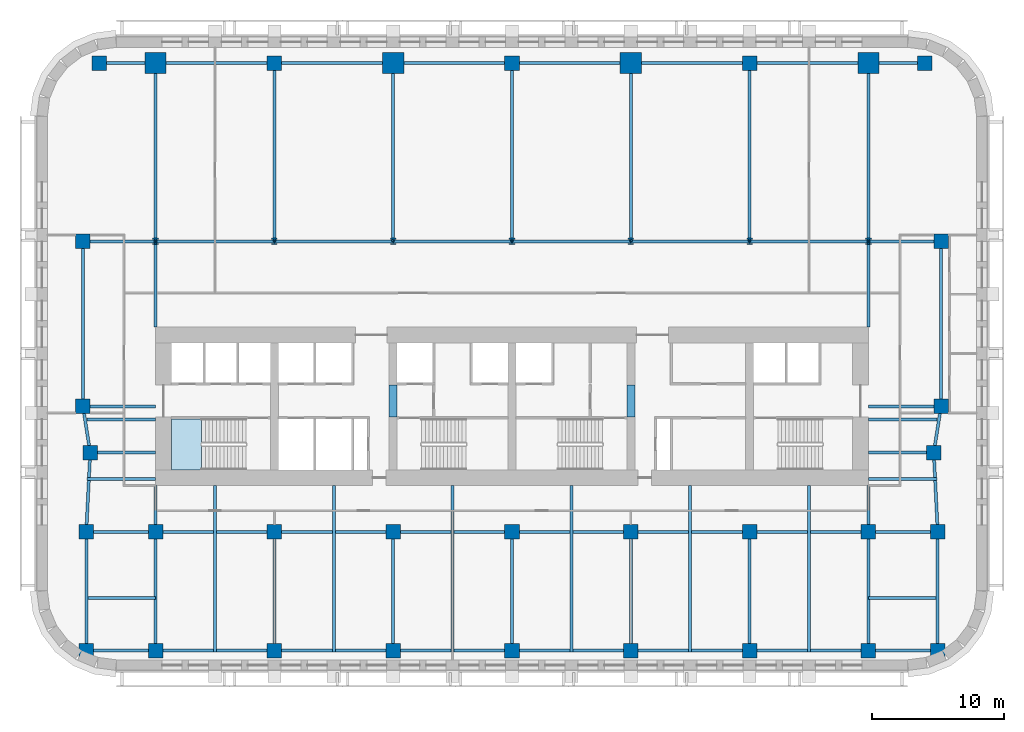
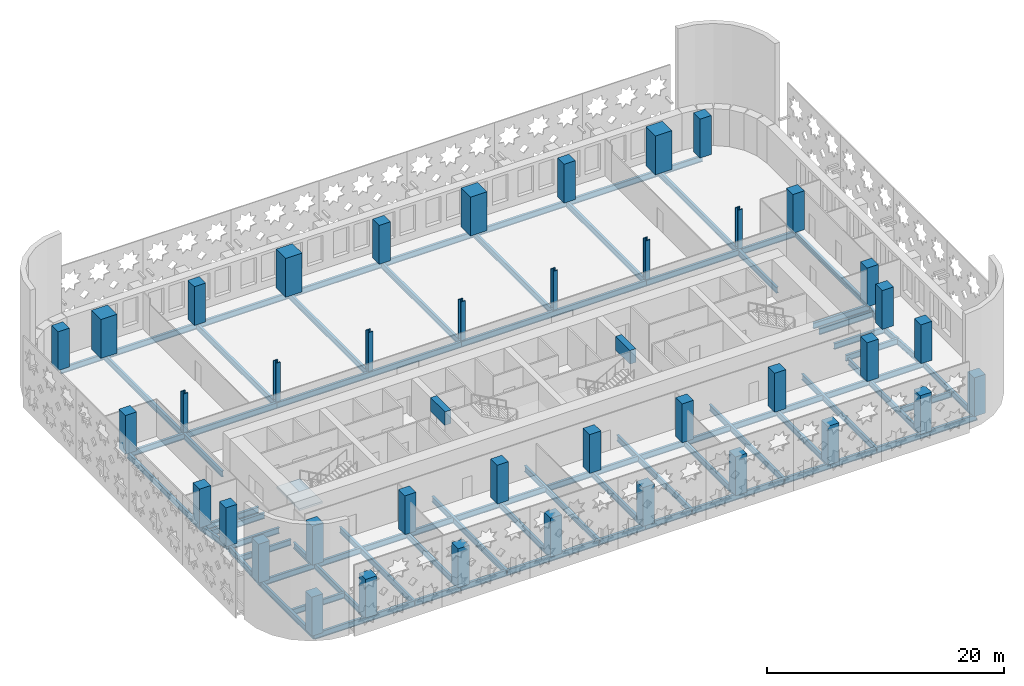
# One storey, part 1 of 13: 58 beams, 40 columns, 1 slab, 1 element without a shape of its own.
"""IFC4 building model written with IfcOpenShell, lengths in metres."""

from ifc_helpers import new_model, si_unit, direction, frame, origin, origin_2d, place, context, subcontext, project, spatial, polyline, rectangle, i_section, outline, extrude, material, layer, layer_set, material_profile, profile_set, type_object, element, aggregate, save


model = new_model("IFC4")

# Units and contexts
model_context = context("Model", 3, precision=1e-05, world=origin(), true_north=direction((0.0, 1.0)))
body_context = subcontext(model_context, "Body", "Model", "MODEL_VIEW")
ifc_project = project(units=[si_unit("LENGTHUNIT", "METRE"), si_unit("AREAUNIT", "SQUARE_METRE"), si_unit("VOLUMEUNIT", "CUBIC_METRE"), si_unit("PLANEANGLEUNIT", "RADIAN"), si_unit("MASSUNIT", "GRAM", prefix="KILO")], contexts=[model_context])

# Site, building, storey
site_placement = place(None, origin())
site = spatial("IfcSite", under=ifc_project, at=site_placement, CompositionType="ELEMENT")
building_placement = place(site_placement, origin())
building = spatial("IfcBuilding", under=site, at=building_placement, Name="Zellij Exchange Tower", CompositionType="ELEMENT")
storey_placement = place(building_placement, frame((0.0, 0.0, 52.5)))
storey = spatial("IfcBuildingStorey", under=building, at=storey_placement, Name="L09", CompositionType="ELEMENT", Elevation=52.5)

# Columns
ifc_material_1 = material(Name="Concrete C70/85", Category="concrete")
ifc_material_profile_1 = material_profile(ifc_material_1, rectangle(XDim=1.10009765625, YDim=1.10009765625, at=origin_2d()), Name="STR-COLUMN RC1100x1100 C70/85")
ifc_profile_set_1 = profile_set([ifc_material_profile_1], Name="Concrete C70/85")
column_type_1 = type_object("IfcColumnType", Name="STR-COLUMN RC1100x1100 C70/85", PredefinedType="COLUMN", material=ifc_profile_set_1)
for number, where, z_axis, x_axis, name in (
    (1, (-32.25, -26.5, 0.0), (0.0, 0.0, 1.0), (1.0, 0.0, 0.0), "C11"),
    (2, (-27.0, -26.5, 0.0), (0.0, 0.0, 1.0), (1.0, 0.0, 0.0), "C11"),
    (3, (-18.0, -26.5, 0.0), (0.0, 0.0, 1.0), (1.0, 0.0, 0.0), "C11"),
    (4, (-9.0, -26.5, 0.0), (0.0, 0.0, 1.0), (1.0, 0.0, 0.0), "C11"),
    (5, (0.0, -26.5, 0.0), (0.0, 0.0, 1.0), (1.0, 0.0, 0.0), "C11"),
    (6, (9.0, -26.5, 0.0), (0.0, 0.0, 1.0), (1.0, 0.0, 0.0), "C11"),
    (7, (18.0, -26.5, 0.0), (0.0, 0.0, 1.0), (1.0, 0.0, 0.0), "C11"),
    (8, (27.0, -26.5, 0.0), (0.0, 0.0, 1.0), (1.0, 0.0, 0.0), "C11"),
    (9, (32.25, -26.5, 0.0), (0.0, 0.0, 1.0), (1.0, 0.0, 0.0), "C11"),
    (10, (-32.25, -17.5, 0.0), (0.0, 0.0, 1.0), (1.0, 0.0, 0.0), "C11"),
    (11, (-27.0, -17.5, 0.0), (0.0, 0.0, 1.0), (1.0, 0.0, 0.0), "C11"),
    (12, (-18.0, -17.5, 0.0), (0.0, 0.0, 1.0), (1.0, 0.0, 0.0), "C11"),
    (13, (-9.0, -17.5, 0.0), (0.0, 0.0, 1.0), (1.0, 0.0, 0.0), "C11"),
    (14, (0.0, -17.5, 0.0), (0.0, 0.0, 1.0), (1.0, 0.0, 0.0), "C11"),
    (15, (9.0, -17.5, 0.0), (0.0, 0.0, 1.0), (1.0, 0.0, 0.0), "C11"),
    (16, (18.0, -17.5, 0.0), (0.0, 0.0, 1.0), (1.0, 0.0, 0.0), "C11"),
    (17, (27.0, -17.5, 0.0), (0.0, 0.0, 1.0), (1.0, 0.0, 0.0), "C11"),
    (18, (32.25, -17.5, 0.0), (0.0, 0.0, 1.0), (1.0, 0.0, 0.0), "C11"),
    (19, (-31.949951171875, -11.5, 0.0), (0.0, 0.0, 1.0), (1.0, 0.0, 0.0), "C11"),
    (20, (31.949951171875, -11.5, 0.0), (0.0, 0.0, 1.0), (1.0, 0.0, 0.0), "C11"),
    (21, (-32.5, -8.0, 0.0), (0.0, 0.0, 1.0), (1.0, 0.0, 0.0), "C11"),
    (22, (32.5, -8.0, 0.0), (0.0, 0.0, 1.0), (1.0, 0.0, 0.0), "C11"),
    (23, (-32.5, 4.5, 0.0), (0.0, 0.0, 1.0), (1.0, 0.0, 0.0), "C11"),
    (24, (32.5, 4.5, 0.0), (0.0, 0.0, 1.0), (1.0, 0.0, 0.0), "C11"),
    (25, (-31.25, 18.0, 0.0), (0.0, 0.0, 1.0), (1.0, 0.0, 0.0), "C11"),
    (26, (-18.0, 18.0, 0.0), (0.0, 0.0, 1.0), (1.0, 0.0, 0.0), "C11"),
    (27, (0.0, 18.0, 0.0), (0.0, 0.0, 1.0), (1.0, 0.0, 0.0), "C11"),
    (28, (18.0, 18.0, 0.0), (0.0, 0.0, 1.0), (1.0, 0.0, 0.0), "C11"),
    (29, (31.25, 18.0, 0.0), (0.0, 0.0, 1.0), (1.0, 0.0, 0.0), "C11"),
):
    element("IfcColumn", number, at=place(storey_placement, frame(where, z_axis=z_axis, x_axis=x_axis)), inside=storey, type_object=column_type_1, Name=name, PredefinedType="COLUMN", context=body_context, shape_type="SweptSolid", body=[
        extrude(rectangle(XDim=1.10009765625, YDim=1.10009765625, at=origin_2d()), origin(), (0.0, 0.0, 1.0), 4.0),
    ])
ifc_material_2 = material(Name="Structural steel ASTM A913 Gr 65", Category="steel")
ifc_material_profile_2 = material_profile(ifc_material_2, i_section(OverallWidth=0.431884765625, OverallDepth=0.497802734375, WebThickness=0.0556640625, FlangeThickness=0.0888671875, at=origin_2d()), Name="W14x500")
ifc_profile_set_2 = profile_set([ifc_material_profile_2], Name="Structural steel ASTM A913 Gr 65")
column_type_2 = type_object("IfcColumnType", Name="STR-COLUMN W14x500", PredefinedType="COLUMN", material=ifc_profile_set_2)
for number, where, z_axis, x_axis, name in (
    (30, (-27.0, 4.5, 0.0), (0.0, 0.0, 1.0), (1.0, 0.0, 0.0), "C5"),
    (31, (-18.0, 4.5, 0.0), (0.0, 0.0, 1.0), (1.0, 0.0, 0.0), "C5"),
    (32, (-9.0, 4.5, 0.0), (0.0, 0.0, 1.0), (1.0, 0.0, 0.0), "C5"),
    (33, (0.0, 4.5, 0.0), (0.0, 0.0, 1.0), (1.0, 0.0, 0.0), "C5"),
    (34, (9.0, 4.5, 0.0), (0.0, 0.0, 1.0), (1.0, 0.0, 0.0), "C5"),
    (35, (18.0, 4.5, 0.0), (0.0, 0.0, 1.0), (1.0, 0.0, 0.0), "C5"),
    (36, (27.0, 4.5, 0.0), (0.0, 0.0, 1.0), (1.0, 0.0, 0.0), "C5"),
):
    element("IfcColumn", number, at=place(storey_placement, frame(where, z_axis=z_axis, x_axis=x_axis)), inside=storey, type_object=column_type_2, Name=name, PredefinedType="COLUMN", context=body_context, shape_type="SweptSolid", body=[
        extrude(i_section(OverallWidth=0.431884765625, OverallDepth=0.497802734375, WebThickness=0.0556640625, FlangeThickness=0.0888671875, at=origin_2d()), origin(), (0.0, 0.0, 1.0), 4.0),
    ])
ifc_material_profile_3 = material_profile(ifc_material_1, rectangle(XDim=1.60009765625, YDim=1.60009765625, at=origin_2d()), Name="STR-MEGA COLUMN RC1600x1600 C70/85")
ifc_profile_set_3 = profile_set([ifc_material_profile_3], Name="Concrete C70/85")
column_type_3 = type_object("IfcColumnType", Name="STR-MEGA COLUMN RC1600x1600 C70/85", PredefinedType="COLUMN", material=ifc_profile_set_3)
for number, where, z_axis, x_axis, name in (
    (37, (-27.0, 18.0, 0.0), (0.0, 0.0, 1.0), (1.0, 0.0, 0.0), "MC6"),
    (38, (-9.0, 18.0, 0.0), (0.0, 0.0, 1.0), (1.0, 0.0, 0.0), "MC6"),
    (39, (9.0, 18.0, 0.0), (0.0, 0.0, 1.0), (1.0, 0.0, 0.0), "MC6"),
    (40, (27.0, 18.0, 0.0), (0.0, 0.0, 1.0), (1.0, 0.0, 0.0), "MC6"),
):
    element("IfcColumn", number, at=place(storey_placement, frame(where, z_axis=z_axis, x_axis=x_axis)), inside=storey, type_object=column_type_3, Name=name, PredefinedType="COLUMN", context=body_context, shape_type="SweptSolid", body=[
        extrude(rectangle(XDim=1.60009765625, YDim=1.60009765625, at=origin_2d()), origin(), (0.0, 0.0, 1.0), 4.0),
    ])

# Beams
ifc_material_profile_4 = material_profile(ifc_material_1, rectangle(XDim=0.60009765625, YDim=1.39990234375, at=origin_2d()), Name="CORE-CB 600x1400 C70/85")
ifc_profile_set_4 = profile_set([ifc_material_profile_4], Name="Concrete C70/85")
beam_type_1 = type_object("IfcBeamType", Name="CORE-CB 600x1400 C70/85", PredefinedType="BEAM", material=ifc_profile_set_4)
for number, where, z_axis, x_axis, name in (
    (41, (-9.0, -8.800048828125, 3.10009765625), (0.0, 1.0, 0.0), (-1.0, 0.0, 0.0), "Core coupling beam x -9 L09"),
    (42, (9.0, -8.800048828125, 3.10009765625), (0.0, 1.0, 0.0), (-1.0, 0.0, 0.0), "Core coupling beam x 9 L09"),
):
    element("IfcBeam", number, at=place(storey_placement, frame(where, z_axis=z_axis, x_axis=x_axis)), inside=storey, type_object=beam_type_1, Name=name, PredefinedType="BEAM", context=body_context, shape_type="SweptSolid", body=[
        extrude(rectangle(XDim=0.60009765625, YDim=1.39990234375, at=origin_2d()), origin(), (0.0, 0.0, 1.0), 2.425048828125),
    ])
ifc_material_3 = material(Name="Structural steel ASTM A992 Gr 50", Category="steel")
ifc_material_profile_5 = material_profile(ifc_material_3, i_section(OverallWidth=0.227783203125, OverallDepth=0.60205078125, WebThickness=0.010498046875, FlangeThickness=0.014892578125, at=origin_2d()), Name="W24x68")
ifc_profile_set_5 = profile_set([ifc_material_profile_5], Name="Structural steel ASTM A992 Gr 50")
beam_type_2 = type_object("IfcBeamType", Name="STR-BEAM W24x68", PredefinedType="BEAM", material=ifc_profile_set_5)
for number, where, z_axis, x_axis, name in (
    (43, (-22.5, -26.614501953125, -0.5009765625), (0.0, 1.0, 0.0), (-1.0, 0.0, 0.0), "B5"),
    (44, (-13.5, -26.614501953125, -0.5009765625), (0.0, 1.0, 0.0), (-1.0, 0.0, 0.0), "B5"),
    (45, (-4.5, -26.614501953125, -0.5009765625), (0.0, 1.0, 0.0), (-1.0, 0.0, 0.0), "B5"),
    (46, (4.5, -26.614501953125, -0.5009765625), (0.0, 1.0, 0.0), (-1.0, 0.0, 0.0), "B5"),
    (47, (13.5, -26.614501953125, -0.5009765625), (0.0, 1.0, 0.0), (-1.0, 0.0, 0.0), "B5"),
    (48, (22.5, -26.614501953125, -0.5009765625), (0.0, 1.0, 0.0), (-1.0, 0.0, 0.0), "B5"),
):
    element("IfcBeam", number, at=place(storey_placement, frame(where, z_axis=z_axis, x_axis=x_axis)), inside=storey, type_object=beam_type_2, Name=name, PredefinedType="BEAM", context=body_context, shape_type="SweptSolid", body=[
        extrude(i_section(OverallWidth=0.227783203125, OverallDepth=0.60205078125, WebThickness=0.010498046875, FlangeThickness=0.014892578125, at=origin_2d()), origin(), (0.0, 0.0, 1.0), 12.614501953125),
    ])
beam_1_placement = place(storey_placement, frame((-32.126953125, -22.5, -0.5009765625), z_axis=(1.0, 0.0, 0.0), x_axis=(0.0, 1.0, 0.0)))
element("IfcBeam", 49, at=beam_1_placement, inside=storey, type_object=beam_type_2, Name="B5", PredefinedType="BEAM", context=body_context, shape_type="SweptSolid", body=[
    extrude(i_section(OverallWidth=0.227783203125, OverallDepth=0.60205078125, WebThickness=0.010498046875, FlangeThickness=0.014892578125, at=origin_2d()), origin(), (0.0, 0.0, 1.0), 5.126953125),
])
for number, where, z_axis, x_axis, name in (
    (50, (-32.199951171875, -13.5, -0.5009765625), (1.0, 0.0, 0.0), (0.0, 1.0, 0.0), "B5"),
    (51, (-32.199951171875, -9.0, -0.5009765625), (1.0, 0.0, 0.0), (0.0, 1.0, 0.0), "B5"),
):
    element("IfcBeam", number, at=place(storey_placement, frame(where, z_axis=z_axis, x_axis=x_axis)), inside=storey, type_object=beam_type_2, Name=name, PredefinedType="BEAM", context=body_context, shape_type="SweptSolid", body=[
        extrude(i_section(OverallWidth=0.227783203125, OverallDepth=0.60205078125, WebThickness=0.010498046875, FlangeThickness=0.014892578125, at=origin_2d()), origin(), (0.0, 0.0, 1.0), 5.199951171875),
    ])
beam_2_placement = place(storey_placement, frame((27.0, -22.5, -0.5009765625), z_axis=(1.0, 0.0, 0.0), x_axis=(0.0, 1.0, 0.0)))
element("IfcBeam", 52, at=beam_2_placement, inside=storey, type_object=beam_type_2, Name="B5", PredefinedType="BEAM", context=body_context, shape_type="SweptSolid", body=[
    extrude(i_section(OverallWidth=0.227783203125, OverallDepth=0.60205078125, WebThickness=0.010498046875, FlangeThickness=0.014892578125, at=origin_2d()), origin(), (0.0, 0.0, 1.0), 5.126953125),
])
for number, where, z_axis, x_axis, name in (
    (53, (27.0, -13.5, -0.5009765625), (1.0, 0.0, 0.0), (0.0, 1.0, 0.0), "B5"),
    (54, (27.0, -9.0, -0.5009765625), (1.0, 0.0, 0.0), (0.0, 1.0, 0.0), "B5"),
):
    element("IfcBeam", number, at=place(storey_placement, frame(where, z_axis=z_axis, x_axis=x_axis)), inside=storey, type_object=beam_type_2, Name=name, PredefinedType="BEAM", context=body_context, shape_type="SweptSolid", body=[
        extrude(i_section(OverallWidth=0.227783203125, OverallDepth=0.60205078125, WebThickness=0.010498046875, FlangeThickness=0.014892578125, at=origin_2d()), origin(), (0.0, 0.0, 1.0), 5.199951171875),
    ])
ifc_material_profile_6 = material_profile(ifc_material_3, i_section(OverallWidth=0.22900390625, OverallDepth=0.612060546875, WebThickness=0.011962890625, FlangeThickness=0.01953125, at=origin_2d()), Name="W24x84")
ifc_profile_set_6 = profile_set([ifc_material_profile_6], Name="Structural steel ASTM A992 Gr 50")
beam_type_3 = type_object("IfcBeamType", Name="STR-EDGE GIRDER W24x84", PredefinedType="BEAM", material=ifc_profile_set_6)
beam_3_placement = place(storey_placement, frame((-32.25, -26.5, -0.506103515625), z_axis=(0.0, 1.0, 0.0), x_axis=(-1.0, 0.0, 0.0)))
element("IfcBeam", 55, at=beam_3_placement, inside=storey, type_object=beam_type_3, Name="EB6", PredefinedType="BEAM", context=body_context, shape_type="SweptSolid", body=[
    extrude(i_section(OverallWidth=0.22900390625, OverallDepth=0.612060546875, WebThickness=0.011962890625, FlangeThickness=0.01953125, at=origin_2d()), origin(), (0.0, 0.0, 1.0), 9.0),
])
beam_4_placement = place(storey_placement, frame((-32.25, -17.5, -0.506103515625), z_axis=(0.049945724537, 0.998751933465, 0.0), x_axis=(-0.998751933465, 0.049945724537, 0.0)))
element("IfcBeam", 56, at=beam_4_placement, inside=storey, type_object=beam_type_3, Name="EB6", PredefinedType="BEAM", context=body_context, shape_type="SweptSolid", body=[
    extrude(i_section(OverallWidth=0.22900390625, OverallDepth=0.612060546875, WebThickness=0.011962890625, FlangeThickness=0.01953125, at=origin_2d()), origin(), (0.0, 0.0, 1.0), 6.007568359375),
])
beam_5_placement = place(storey_placement, frame((-31.949951171875, -11.5, -0.506103515625), z_axis=(-0.155251283593, 0.987875011802, 0.0), x_axis=(-0.987875011802, -0.155251283593, 0.0)))
element("IfcBeam", 57, at=beam_5_placement, inside=storey, type_object=beam_type_3, Name="EB6", PredefinedType="BEAM", context=body_context, shape_type="SweptSolid", body=[
    extrude(i_section(OverallWidth=0.22900390625, OverallDepth=0.612060546875, WebThickness=0.011962890625, FlangeThickness=0.01953125, at=origin_2d()), origin(), (0.0, 0.0, 1.0), 3.54296875),
])
beam_6_placement = place(storey_placement, frame((-32.5, -8.0, -0.506103515625), z_axis=(0.0, 1.0, 0.0), x_axis=(-1.0, 0.0, 0.0)))
element("IfcBeam", 58, at=beam_6_placement, inside=storey, type_object=beam_type_3, Name="EB6", PredefinedType="BEAM", context=body_context, shape_type="SweptSolid", body=[
    extrude(i_section(OverallWidth=0.22900390625, OverallDepth=0.612060546875, WebThickness=0.011962890625, FlangeThickness=0.01953125, at=origin_2d()), origin(), (0.0, 0.0, 1.0), 12.5),
])
beam_7_placement = place(storey_placement, frame((32.25, -26.5, -0.506103515625), z_axis=(0.0, 1.0, 0.0), x_axis=(-1.0, 0.0, 0.0)))
element("IfcBeam", 59, at=beam_7_placement, inside=storey, type_object=beam_type_3, Name="EB6", PredefinedType="BEAM", context=body_context, shape_type="SweptSolid", body=[
    extrude(i_section(OverallWidth=0.22900390625, OverallDepth=0.612060546875, WebThickness=0.011962890625, FlangeThickness=0.01953125, at=origin_2d()), origin(), (0.0, 0.0, 1.0), 9.0),
])
beam_8_placement = place(storey_placement, frame((32.25, -17.5, -0.506103515625), z_axis=(-0.049945724537, 0.998751933465, 0.0), x_axis=(-0.998751933465, -0.049945724537, 0.0)))
element("IfcBeam", 60, at=beam_8_placement, inside=storey, type_object=beam_type_3, Name="EB6", PredefinedType="BEAM", context=body_context, shape_type="SweptSolid", body=[
    extrude(i_section(OverallWidth=0.22900390625, OverallDepth=0.612060546875, WebThickness=0.011962890625, FlangeThickness=0.01953125, at=origin_2d()), origin(), (0.0, 0.0, 1.0), 6.007568359375),
])
beam_9_placement = place(storey_placement, frame((31.949951171875, -11.5, -0.506103515625), z_axis=(0.155251283593, 0.987875011802, 0.0), x_axis=(-0.987875011802, 0.155251283593, 0.0)))
element("IfcBeam", 61, at=beam_9_placement, inside=storey, type_object=beam_type_3, Name="EB6", PredefinedType="BEAM", context=body_context, shape_type="SweptSolid", body=[
    extrude(i_section(OverallWidth=0.22900390625, OverallDepth=0.612060546875, WebThickness=0.011962890625, FlangeThickness=0.01953125, at=origin_2d()), origin(), (0.0, 0.0, 1.0), 3.54296875),
])
beam_10_placement = place(storey_placement, frame((32.5, -8.0, -0.506103515625), z_axis=(0.0, 1.0, 0.0), x_axis=(-1.0, 0.0, 0.0)))
element("IfcBeam", 62, at=beam_10_placement, inside=storey, type_object=beam_type_3, Name="EB6", PredefinedType="BEAM", context=body_context, shape_type="SweptSolid", body=[
    extrude(i_section(OverallWidth=0.22900390625, OverallDepth=0.612060546875, WebThickness=0.011962890625, FlangeThickness=0.01953125, at=origin_2d()), origin(), (0.0, 0.0, 1.0), 12.5),
])
ifc_material_profile_7 = material_profile(ifc_material_3, i_section(OverallWidth=0.22900390625, OverallDepth=0.612060546875, WebThickness=0.011962890625, FlangeThickness=0.01953125, at=origin_2d()), Name="W24x84")
ifc_profile_set_7 = profile_set([ifc_material_profile_7], Name="Structural steel ASTM A992 Gr 50")
beam_type_4 = type_object("IfcBeamType", Name="STR-GIRDER W24x84", PredefinedType="BEAM", material=ifc_profile_set_7)
beam_11_placement = place(storey_placement, frame((-32.25, -26.5, -0.506103515625), z_axis=(1.0, 0.0, 0.0), x_axis=(0.0, 1.0, 0.0)))
element("IfcBeam", 63, at=beam_11_placement, inside=storey, type_object=beam_type_4, Name="G4", PredefinedType="BEAM", context=body_context, shape_type="SweptSolid", body=[
    extrude(i_section(OverallWidth=0.22900390625, OverallDepth=0.612060546875, WebThickness=0.011962890625, FlangeThickness=0.01953125, at=origin_2d()), origin(), (0.0, 0.0, 1.0), 14.25),
])
for number, where, z_axis, x_axis, name in (
    (64, (-18.0, -26.5, -0.506103515625), (1.0, 0.0, 0.0), (0.0, 1.0, 0.0), "G4"),
    (65, (0.0, -26.5, -0.506103515625), (1.0, 0.0, 0.0), (0.0, 1.0, 0.0), "G4"),
):
    element("IfcBeam", number, at=place(storey_placement, frame(where, z_axis=z_axis, x_axis=x_axis)), inside=storey, type_object=beam_type_4, Name=name, PredefinedType="BEAM", context=body_context, shape_type="SweptSolid", body=[
        extrude(i_section(OverallWidth=0.22900390625, OverallDepth=0.612060546875, WebThickness=0.011962890625, FlangeThickness=0.01953125, at=origin_2d()), origin(), (0.0, 0.0, 1.0), 18.0),
    ])
for number, where, z_axis, x_axis, name in (
    (66, (18.0, -26.5, -0.506103515625), (1.0, 0.0, 0.0), (0.0, 1.0, 0.0), "G4"),
    (67, (-32.25, -17.5, -0.506103515625), (1.0, 0.0, 0.0), (0.0, 1.0, 0.0), "G4"),
):
    element("IfcBeam", number, at=place(storey_placement, frame(where, z_axis=z_axis, x_axis=x_axis)), inside=storey, type_object=beam_type_4, Name=name, PredefinedType="BEAM", context=body_context, shape_type="SweptSolid", body=[
        extrude(i_section(OverallWidth=0.22900390625, OverallDepth=0.612060546875, WebThickness=0.011962890625, FlangeThickness=0.01953125, at=origin_2d()), origin(), (0.0, 0.0, 1.0), 14.25),
    ])
for number, where, z_axis, x_axis, name in (
    (68, (-18.0, -17.5, -0.506103515625), (1.0, 0.0, 0.0), (0.0, 1.0, 0.0), "G4"),
    (69, (0.0, -17.5, -0.506103515625), (1.0, 0.0, 0.0), (0.0, 1.0, 0.0), "G4"),
):
    element("IfcBeam", number, at=place(storey_placement, frame(where, z_axis=z_axis, x_axis=x_axis)), inside=storey, type_object=beam_type_4, Name=name, PredefinedType="BEAM", context=body_context, shape_type="SweptSolid", body=[
        extrude(i_section(OverallWidth=0.22900390625, OverallDepth=0.612060546875, WebThickness=0.011962890625, FlangeThickness=0.01953125, at=origin_2d()), origin(), (0.0, 0.0, 1.0), 18.0),
    ])
beam_12_placement = place(storey_placement, frame((18.0, -17.5, -0.506103515625), z_axis=(1.0, 0.0, 0.0), x_axis=(0.0, 1.0, 0.0)))
element("IfcBeam", 70, at=beam_12_placement, inside=storey, type_object=beam_type_4, Name="G4", PredefinedType="BEAM", context=body_context, shape_type="SweptSolid", body=[
    extrude(i_section(OverallWidth=0.22900390625, OverallDepth=0.612060546875, WebThickness=0.011962890625, FlangeThickness=0.01953125, at=origin_2d()), origin(), (0.0, 0.0, 1.0), 14.25),
])
for number, where, z_axis, x_axis, name in (
    (71, (-31.949951171875, -11.5, -0.506103515625), (1.0, 0.0, 0.0), (0.0, 1.0, 0.0), "G4"),
    (72, (27.0, -11.5, -0.506103515625), (1.0, 0.0, 0.0), (0.0, 1.0, 0.0), "G4"),
):
    element("IfcBeam", number, at=place(storey_placement, frame(where, z_axis=z_axis, x_axis=x_axis)), inside=storey, type_object=beam_type_4, Name=name, PredefinedType="BEAM", context=body_context, shape_type="SweptSolid", body=[
        extrude(i_section(OverallWidth=0.22900390625, OverallDepth=0.612060546875, WebThickness=0.011962890625, FlangeThickness=0.01953125, at=origin_2d()), origin(), (0.0, 0.0, 1.0), 4.949951171875),
    ])
for number, where, z_axis, x_axis, name in (
    (73, (-32.5, -8.0, -0.506103515625), (1.0, 0.0, 0.0), (0.0, 1.0, 0.0), "G4"),
    (74, (27.0, -8.0, -0.506103515625), (1.0, 0.0, 0.0), (0.0, 1.0, 0.0), "G4"),
):
    element("IfcBeam", number, at=place(storey_placement, frame(where, z_axis=z_axis, x_axis=x_axis)), inside=storey, type_object=beam_type_4, Name=name, PredefinedType="BEAM", context=body_context, shape_type="SweptSolid", body=[
        extrude(i_section(OverallWidth=0.22900390625, OverallDepth=0.612060546875, WebThickness=0.011962890625, FlangeThickness=0.01953125, at=origin_2d()), origin(), (0.0, 0.0, 1.0), 5.5),
    ])
beam_13_placement = place(storey_placement, frame((-32.5, 4.5, -0.506103515625), z_axis=(1.0, 0.0, 0.0), x_axis=(0.0, 1.0, 0.0)))
element("IfcBeam", 75, at=beam_13_placement, inside=storey, type_object=beam_type_4, Name="G4", PredefinedType="BEAM", context=body_context, shape_type="SweptSolid", body=[
    extrude(i_section(OverallWidth=0.22900390625, OverallDepth=0.612060546875, WebThickness=0.011962890625, FlangeThickness=0.01953125, at=origin_2d()), origin(), (0.0, 0.0, 1.0), 14.5),
])
for number, where, z_axis, x_axis, name in (
    (76, (-18.0, 4.5, -0.506103515625), (1.0, 0.0, 0.0), (0.0, 1.0, 0.0), "G4"),
    (77, (0.0, 4.5, -0.506103515625), (1.0, 0.0, 0.0), (0.0, 1.0, 0.0), "G4"),
):
    element("IfcBeam", number, at=place(storey_placement, frame(where, z_axis=z_axis, x_axis=x_axis)), inside=storey, type_object=beam_type_4, Name=name, PredefinedType="BEAM", context=body_context, shape_type="SweptSolid", body=[
        extrude(i_section(OverallWidth=0.22900390625, OverallDepth=0.612060546875, WebThickness=0.011962890625, FlangeThickness=0.01953125, at=origin_2d()), origin(), (0.0, 0.0, 1.0), 18.0),
    ])
beam_14_placement = place(storey_placement, frame((18.0, 4.5, -0.506103515625), z_axis=(1.0, 0.0, 0.0), x_axis=(0.0, 1.0, 0.0)))
element("IfcBeam", 78, at=beam_14_placement, inside=storey, type_object=beam_type_4, Name="G4", PredefinedType="BEAM", context=body_context, shape_type="SweptSolid", body=[
    extrude(i_section(OverallWidth=0.22900390625, OverallDepth=0.612060546875, WebThickness=0.011962890625, FlangeThickness=0.01953125, at=origin_2d()), origin(), (0.0, 0.0, 1.0), 14.5),
])
beam_15_placement = place(storey_placement, frame((-31.25, 18.0, -0.506103515625), z_axis=(1.0, 0.0, 0.0), x_axis=(0.0, 1.0, 0.0)))
element("IfcBeam", 79, at=beam_15_placement, inside=storey, type_object=beam_type_4, Name="G4", PredefinedType="BEAM", context=body_context, shape_type="SweptSolid", body=[
    extrude(i_section(OverallWidth=0.22900390625, OverallDepth=0.612060546875, WebThickness=0.011962890625, FlangeThickness=0.01953125, at=origin_2d()), origin(), (0.0, 0.0, 1.0), 13.25),
])
for number, where, z_axis, x_axis, name in (
    (80, (-18.0, 18.0, -0.506103515625), (1.0, 0.0, 0.0), (0.0, 1.0, 0.0), "G4"),
    (81, (0.0, 18.0, -0.506103515625), (1.0, 0.0, 0.0), (0.0, 1.0, 0.0), "G4"),
):
    element("IfcBeam", number, at=place(storey_placement, frame(where, z_axis=z_axis, x_axis=x_axis)), inside=storey, type_object=beam_type_4, Name=name, PredefinedType="BEAM", context=body_context, shape_type="SweptSolid", body=[
        extrude(i_section(OverallWidth=0.22900390625, OverallDepth=0.612060546875, WebThickness=0.011962890625, FlangeThickness=0.01953125, at=origin_2d()), origin(), (0.0, 0.0, 1.0), 18.0),
    ])
beam_16_placement = place(storey_placement, frame((18.0, 18.0, -0.506103515625), z_axis=(1.0, 0.0, 0.0), x_axis=(0.0, 1.0, 0.0)))
element("IfcBeam", 82, at=beam_16_placement, inside=storey, type_object=beam_type_4, Name="G4", PredefinedType="BEAM", context=body_context, shape_type="SweptSolid", body=[
    extrude(i_section(OverallWidth=0.22900390625, OverallDepth=0.612060546875, WebThickness=0.011962890625, FlangeThickness=0.01953125, at=origin_2d()), origin(), (0.0, 0.0, 1.0), 13.25),
])
beam_17_placement = place(storey_placement, frame((-27.0, -26.5, -0.506103515625), z_axis=(0.0, 1.0, 0.0), x_axis=(-1.0, 0.0, 0.0)))
element("IfcBeam", 83, at=beam_17_placement, inside=storey, type_object=beam_type_4, Name="G4", PredefinedType="BEAM", context=body_context, shape_type="SweptSolid", body=[
    extrude(i_section(OverallWidth=0.22900390625, OverallDepth=0.612060546875, WebThickness=0.011962890625, FlangeThickness=0.01953125, at=origin_2d()), origin(), (0.0, 0.0, 1.0), 12.5),
])
beam_18_placement = place(storey_placement, frame((-27.0, -2.0, -0.506103515625), z_axis=(0.0, 1.0, 0.0), x_axis=(-1.0, 0.0, 0.0)))
element("IfcBeam", 84, at=beam_18_placement, inside=storey, type_object=beam_type_4, Name="G4", PredefinedType="BEAM", context=body_context, shape_type="SweptSolid", body=[
    extrude(i_section(OverallWidth=0.22900390625, OverallDepth=0.612060546875, WebThickness=0.011962890625, FlangeThickness=0.01953125, at=origin_2d()), origin(), (0.0, 0.0, 1.0), 6.5),
])
beam_19_placement = place(storey_placement, frame((-27.0, 4.5, -0.506103515625), z_axis=(0.0, 1.0, 0.0), x_axis=(-1.0, 0.0, 0.0)))
element("IfcBeam", 85, at=beam_19_placement, inside=storey, type_object=beam_type_4, Name="G4", PredefinedType="BEAM", context=body_context, shape_type="SweptSolid", body=[
    extrude(i_section(OverallWidth=0.22900390625, OverallDepth=0.612060546875, WebThickness=0.011962890625, FlangeThickness=0.01953125, at=origin_2d()), origin(), (0.0, 0.0, 1.0), 13.5),
])
beam_20_placement = place(storey_placement, frame((-18.0, -26.5, -0.506103515625), z_axis=(0.0, 1.0, 0.0), x_axis=(-1.0, 0.0, 0.0)))
element("IfcBeam", 86, at=beam_20_placement, inside=storey, type_object=beam_type_4, Name="G4", PredefinedType="BEAM", context=body_context, shape_type="SweptSolid", body=[
    extrude(i_section(OverallWidth=0.22900390625, OverallDepth=0.612060546875, WebThickness=0.011962890625, FlangeThickness=0.01953125, at=origin_2d()), origin(), (0.0, 0.0, 1.0), 9.0),
])
beam_21_placement = place(storey_placement, frame((-18.0, 4.5, -0.506103515625), z_axis=(0.0, 1.0, 0.0), x_axis=(-1.0, 0.0, 0.0)))
element("IfcBeam", 87, at=beam_21_placement, inside=storey, type_object=beam_type_4, Name="G4", PredefinedType="BEAM", context=body_context, shape_type="SweptSolid", body=[
    extrude(i_section(OverallWidth=0.22900390625, OverallDepth=0.612060546875, WebThickness=0.011962890625, FlangeThickness=0.01953125, at=origin_2d()), origin(), (0.0, 0.0, 1.0), 13.5),
])
beam_22_placement = place(storey_placement, frame((-9.0, -26.5, -0.506103515625), z_axis=(0.0, 1.0, 0.0), x_axis=(-1.0, 0.0, 0.0)))
element("IfcBeam", 88, at=beam_22_placement, inside=storey, type_object=beam_type_4, Name="G4", PredefinedType="BEAM", context=body_context, shape_type="SweptSolid", body=[
    extrude(i_section(OverallWidth=0.22900390625, OverallDepth=0.612060546875, WebThickness=0.011962890625, FlangeThickness=0.01953125, at=origin_2d()), origin(), (0.0, 0.0, 1.0), 9.0),
])
beam_23_placement = place(storey_placement, frame((-9.0, 4.5, -0.506103515625), z_axis=(0.0, 1.0, 0.0), x_axis=(-1.0, 0.0, 0.0)))
element("IfcBeam", 89, at=beam_23_placement, inside=storey, type_object=beam_type_4, Name="G4", PredefinedType="BEAM", context=body_context, shape_type="SweptSolid", body=[
    extrude(i_section(OverallWidth=0.22900390625, OverallDepth=0.612060546875, WebThickness=0.011962890625, FlangeThickness=0.01953125, at=origin_2d()), origin(), (0.0, 0.0, 1.0), 13.5),
])
beam_24_placement = place(storey_placement, frame((0.0, -26.5, -0.506103515625), z_axis=(0.0, 1.0, 0.0), x_axis=(-1.0, 0.0, 0.0)))
element("IfcBeam", 90, at=beam_24_placement, inside=storey, type_object=beam_type_4, Name="G4", PredefinedType="BEAM", context=body_context, shape_type="SweptSolid", body=[
    extrude(i_section(OverallWidth=0.22900390625, OverallDepth=0.612060546875, WebThickness=0.011962890625, FlangeThickness=0.01953125, at=origin_2d()), origin(), (0.0, 0.0, 1.0), 9.0),
])
beam_25_placement = place(storey_placement, frame((0.0, 4.5, -0.506103515625), z_axis=(0.0, 1.0, 0.0), x_axis=(-1.0, 0.0, 0.0)))
element("IfcBeam", 91, at=beam_25_placement, inside=storey, type_object=beam_type_4, Name="G4", PredefinedType="BEAM", context=body_context, shape_type="SweptSolid", body=[
    extrude(i_section(OverallWidth=0.22900390625, OverallDepth=0.612060546875, WebThickness=0.011962890625, FlangeThickness=0.01953125, at=origin_2d()), origin(), (0.0, 0.0, 1.0), 13.5),
])
beam_26_placement = place(storey_placement, frame((9.0, -26.5, -0.506103515625), z_axis=(0.0, 1.0, 0.0), x_axis=(-1.0, 0.0, 0.0)))
element("IfcBeam", 92, at=beam_26_placement, inside=storey, type_object=beam_type_4, Name="G4", PredefinedType="BEAM", context=body_context, shape_type="SweptSolid", body=[
    extrude(i_section(OverallWidth=0.22900390625, OverallDepth=0.612060546875, WebThickness=0.011962890625, FlangeThickness=0.01953125, at=origin_2d()), origin(), (0.0, 0.0, 1.0), 9.0),
])
beam_27_placement = place(storey_placement, frame((9.0, 4.5, -0.506103515625), z_axis=(0.0, 1.0, 0.0), x_axis=(-1.0, 0.0, 0.0)))
element("IfcBeam", 93, at=beam_27_placement, inside=storey, type_object=beam_type_4, Name="G4", PredefinedType="BEAM", context=body_context, shape_type="SweptSolid", body=[
    extrude(i_section(OverallWidth=0.22900390625, OverallDepth=0.612060546875, WebThickness=0.011962890625, FlangeThickness=0.01953125, at=origin_2d()), origin(), (0.0, 0.0, 1.0), 13.5),
])
beam_28_placement = place(storey_placement, frame((18.0, -26.5, -0.506103515625), z_axis=(0.0, 1.0, 0.0), x_axis=(-1.0, 0.0, 0.0)))
element("IfcBeam", 94, at=beam_28_placement, inside=storey, type_object=beam_type_4, Name="G4", PredefinedType="BEAM", context=body_context, shape_type="SweptSolid", body=[
    extrude(i_section(OverallWidth=0.22900390625, OverallDepth=0.612060546875, WebThickness=0.011962890625, FlangeThickness=0.01953125, at=origin_2d()), origin(), (0.0, 0.0, 1.0), 9.0),
])
beam_29_placement = place(storey_placement, frame((18.0, 4.5, -0.506103515625), z_axis=(0.0, 1.0, 0.0), x_axis=(-1.0, 0.0, 0.0)))
element("IfcBeam", 95, at=beam_29_placement, inside=storey, type_object=beam_type_4, Name="G4", PredefinedType="BEAM", context=body_context, shape_type="SweptSolid", body=[
    extrude(i_section(OverallWidth=0.22900390625, OverallDepth=0.612060546875, WebThickness=0.011962890625, FlangeThickness=0.01953125, at=origin_2d()), origin(), (0.0, 0.0, 1.0), 13.5),
])
beam_30_placement = place(storey_placement, frame((27.0, -26.5, -0.506103515625), z_axis=(0.0, 1.0, 0.0), x_axis=(-1.0, 0.0, 0.0)))
element("IfcBeam", 96, at=beam_30_placement, inside=storey, type_object=beam_type_4, Name="G4", PredefinedType="BEAM", context=body_context, shape_type="SweptSolid", body=[
    extrude(i_section(OverallWidth=0.22900390625, OverallDepth=0.612060546875, WebThickness=0.011962890625, FlangeThickness=0.01953125, at=origin_2d()), origin(), (0.0, 0.0, 1.0), 12.5),
])
beam_31_placement = place(storey_placement, frame((27.0, -2.0, -0.506103515625), z_axis=(0.0, 1.0, 0.0), x_axis=(-1.0, 0.0, 0.0)))
element("IfcBeam", 97, at=beam_31_placement, inside=storey, type_object=beam_type_4, Name="G4", PredefinedType="BEAM", context=body_context, shape_type="SweptSolid", body=[
    extrude(i_section(OverallWidth=0.22900390625, OverallDepth=0.612060546875, WebThickness=0.011962890625, FlangeThickness=0.01953125, at=origin_2d()), origin(), (0.0, 0.0, 1.0), 6.5),
])
beam_32_placement = place(storey_placement, frame((27.0, 4.5, -0.506103515625), z_axis=(0.0, 1.0, 0.0), x_axis=(-1.0, 0.0, 0.0)))
element("IfcBeam", 98, at=beam_32_placement, inside=storey, type_object=beam_type_4, Name="G4", PredefinedType="BEAM", context=body_context, shape_type="SweptSolid", body=[
    extrude(i_section(OverallWidth=0.22900390625, OverallDepth=0.612060546875, WebThickness=0.011962890625, FlangeThickness=0.01953125, at=origin_2d()), origin(), (0.0, 0.0, 1.0), 13.5),
])

# Stair, slab
ifc_material_4 = material(Name="Concrete C40/50", Category="concrete")
stair_type = type_object("IfcStairType", Name="CORE-ST exit stair 1850 wide", PredefinedType="HALF_TURN_STAIR", material=ifc_material_4)
stair_placement = place(storey_placement, origin())
stair = element("IfcStair", 99, at=stair_placement, inside=storey, type_object=stair_type, Name="L09 exit stair ST1", PredefinedType="HALF_TURN_STAIR")
ifc_layer = layer(ifc_material_4, 0.199951171875)
ifc_layer_set = layer_set([ifc_layer], Name="Concrete C40/50")
slab_type = type_object("IfcSlabType", Name="CORE-SL stair landing 200", PredefinedType="LANDING", material=ifc_layer_set)
slab_placement = place(storey_placement, frame((0.0, 0.0, 1.800048828125)))
slab = element("IfcSlab", 100, at=slab_placement, type_object=slab_type, Name="ST1 landing 1", PredefinedType="LANDING", context=body_context, shape_type="SweptSolid", body=[
    extrude(outline(polyline([(-23.510009765625, -8.949951171875), (-25.800048828125, -8.949951171875), (-25.800048828125, -12.800048828125), (-23.510009765625, -12.800048828125), (-23.510009765625, -8.949951171875)])), origin(), (0.0, 0.0, 1.0), 0.199951171875),
])
aggregate(stair, [slab])

save(model, "model.ifc")
